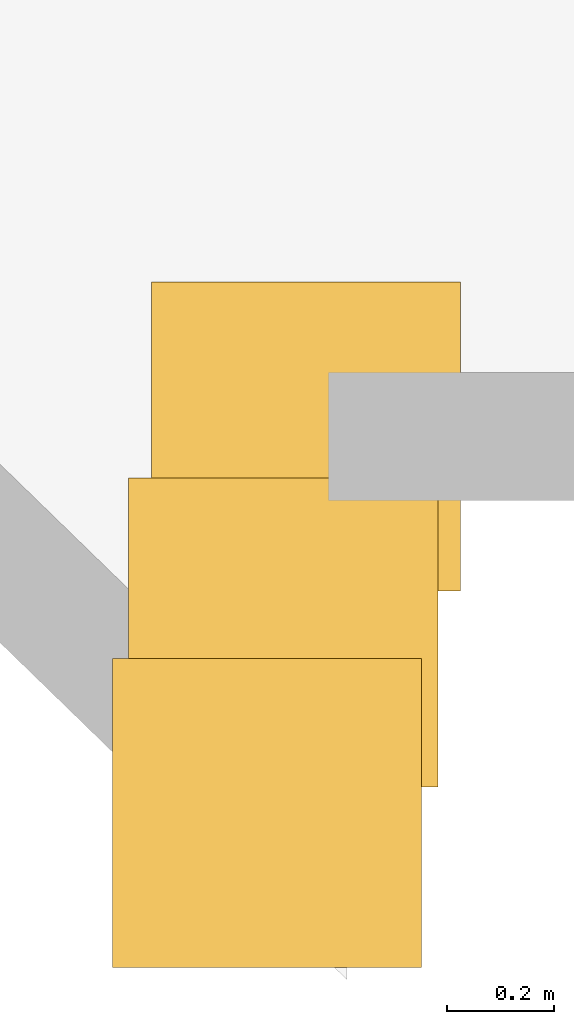
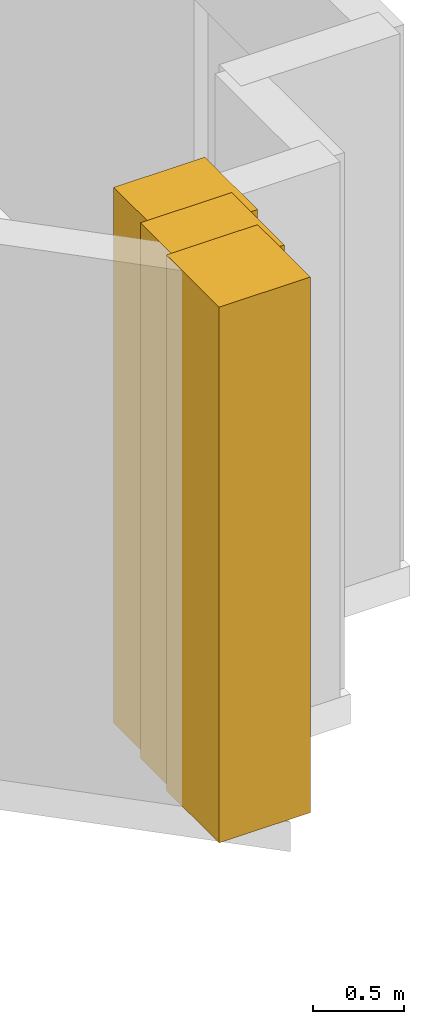
# One storey, part 18 of 18: 3 coverings.
"""IFC4 building model written with IfcOpenShell, lengths in metres."""

import ifcopenshell
import ifcopenshell.guid

model = None  # the IFC model being written
_history = None  # IfcOwnerHistory: only IFC2X3 demands one
_inside = {}  # id of a spatial element -> (the spatial element, [elements in it])
_under = {}  # id of a project, library or spatial element -> (it, [spatial elements below it])
_declared = {}  # id of a project -> (the project, [libraries it declares])
_typed = {}  # id of a type object -> (the type object, [elements of that type])
_made_of = {}  # id of a material, layer set ... -> (it, [elements and type objects made of it])


def new_model(schema):
    """Start an empty IFC model of exactly this schema.

    Asked for "IFC4X3", IfcOpenShell would pick the latest addendum, in which some entities
    have other attributes; the version numbers below select the first issue.
    IFC2X3 requires an IfcOwnerHistory on every rooted entity: one is made here for all.
    """
    global model, _history
    if schema == "IFC4X3":
        model = ifcopenshell.file(schema_version=(4, 3, 0, 0))
    else:
        model = ifcopenshell.file(schema=schema)
    _inside.clear()
    _under.clear()
    _declared.clear()
    _typed.clear()
    _made_of.clear()
    _history = None
    if model.schema == "IFC2X3":
        org = make("IfcOrganization", Name="unknown")
        user = make(
            "IfcPersonAndOrganization",
            ThePerson=make("IfcPerson", FamilyName="unknown"),
            TheOrganization=org,
        )
        app = make(
            "IfcApplication",
            ApplicationDeveloper=org,
            Version="unknown",
            ApplicationFullName="unknown",
            ApplicationIdentifier="unknown",
        )
        _history = make(
            "IfcOwnerHistory",
            OwningUser=user,
            OwningApplication=app,
            ChangeAction="ADDED",
            CreationDate=0,
        )
    return model


def make(cls, **values):
    """One entity of the class cls with the attributes given. An attribute that is None is left unset."""
    return model.create_entity(
        cls, **{name: value for name, value in values.items() if value is not None}
    )


def rooted(cls, **values):
    """An entity with a GlobalId (a new one), such as an element, a storey or a relation."""
    return make(cls, GlobalId=ifcopenshell.guid.new(), OwnerHistory=_history, **values)


def si_unit(unit_type, name, prefix=None):
    """IfcSIUnit, for example si_unit("LENGTHUNIT", "METRE", prefix="MILLI")."""
    return make("IfcSIUnit", UnitType=unit_type, Prefix=prefix, Name=name)


def assignment(units):
    """IfcUnitAssignment: the units of a project."""
    return None if units is None else make("IfcUnitAssignment", Units=units)


def point(xyz):
    """IfcCartesianPoint."""
    return None if xyz is None else make("IfcCartesianPoint", Coordinates=xyz)


def direction(xyz):
    """IfcDirection."""
    return None if xyz is None else make("IfcDirection", DirectionRatios=xyz)


def frame(location, z_axis=None, x_axis=None):
    """IfcAxis2Placement3D, a coordinate frame: its origin and axes. An axis left out is left unset."""
    return make(
        "IfcAxis2Placement3D",
        Location=point(location),
        Axis=direction(z_axis),
        RefDirection=direction(x_axis),
    )


def frame_2d(location, x_axis=None):
    """IfcAxis2Placement2D, a coordinate frame in the plane: its origin and x axis."""
    return make(
        "IfcAxis2Placement2D", Location=point(location), RefDirection=direction(x_axis)
    )


def origin():
    """The frame at (0, 0, 0) with its axes left unset."""
    return frame((0.0, 0.0, 0.0))


def origin_2d():
    """The frame at (0, 0) in the plane with its x axis left unset."""
    return frame_2d((0.0, 0.0))


def place(relative_to, where):
    """IfcLocalPlacement: puts the frame where relative to a parent placement (None: the world)."""
    return make(
        "IfcLocalPlacement", PlacementRelTo=relative_to, RelativePlacement=where
    )


def context(
    kind, dimensions, precision=None, world=None, true_north=None, identifier=None
):
    """IfcGeometricRepresentationContext, for example the 3D "Model" context."""
    return make(
        "IfcGeometricRepresentationContext",
        ContextIdentifier=identifier,
        ContextType=kind,
        CoordinateSpaceDimension=dimensions,
        Precision=precision,
        WorldCoordinateSystem=world,
        TrueNorth=true_north,
    )


def subcontext(parent, identifier, kind, view, scale=None):
    """IfcGeometricRepresentationSubContext, for example "Body" below "Model"."""
    return make(
        "IfcGeometricRepresentationSubContext",
        ContextIdentifier=identifier,
        ContextType=kind,
        ParentContext=parent,
        TargetScale=scale,
        TargetView=view,
    )


def project(units=None, contexts=None):
    """IfcProject with its units and contexts."""
    return rooted(
        "IfcProject",
        Name="project",
        RepresentationContexts=contexts,
        UnitsInContext=assignment(units),
    )


def spatial(cls, under=None, at=None, **own):
    """A site, building, storey or space (cls), placed at a placement, below another one or the project."""
    s = rooted(cls, ObjectPlacement=at, **own)
    if under is not None:
        _under.setdefault(under.id(), (under, []))[1].append(s)
    return s


def profile(cls, at=None, kind="AREA", **sizes):
    """A parametric profile (cls). Its sizes go by their IFC names, for example OverallWidth=200.0."""
    return make(cls, ProfileType=kind, Position=at, **sizes)


def rectangle(**sizes):
    """IfcRectangleProfileDef."""
    return profile("IfcRectangleProfileDef", **sizes)


def extrude(swept, where, along, depth):
    """IfcExtrudedAreaSolid: the profile swept, set in the frame where, extruded along a direction by depth."""
    return make(
        "IfcExtrudedAreaSolid",
        SweptArea=swept,
        Position=where,
        ExtrudedDirection=direction(along),
        Depth=depth,
    )


def shape(context_of_items, identifier, shape_type, items):
    """IfcShapeRepresentation: the items that make up one representation, for example the "Body"."""
    return make(
        "IfcShapeRepresentation",
        ContextOfItems=context_of_items,
        RepresentationIdentifier=identifier,
        RepresentationType=shape_type,
        Items=items,
    )


def material(Name=None, Category=None):
    """IfcMaterial."""
    return make("IfcMaterial", Name=Name, Category=Category)


def layer(
    of_material, thickness, ventilated=None, Name=None, Category=None, Priority=None
):
    """IfcMaterialLayer: one layer of a wall or slab, of a material (None: an air gap)."""
    return make(
        "IfcMaterialLayer",
        Material=of_material,
        LayerThickness=thickness,
        IsVentilated=ventilated,
        Name=Name,
        Category=Category,
        Priority=Priority,
    )


def layer_set(layers, Name=None):
    """IfcMaterialLayerSet."""
    return make("IfcMaterialLayerSet", MaterialLayers=layers, LayerSetName=Name)


def made_of(thing, what):
    """Note that an element or type object is made of a material, layer set ...; save() writes the relation."""
    if what is not None:
        _made_of.setdefault(what.id(), (what, []))[1].append(thing)
    return thing


def type_object(cls, material=None, **own):
    """A type object (cls), such as IfcWallType, which elements share."""
    return made_of(rooted(cls, **own), material)


def element(
    cls,
    number,
    at=None,
    inside=None,
    cuts=None,
    type_object=None,
    material=None,
    context=None,
    identifier="Body",
    shape_type=None,
    held_by="IfcProductDefinitionShape",
    body=None,
    shapes=None,
    **own,
):
    """One element of the class cls, such as IfcWall. Its Tag is "e" and its number.

    at: its placement. inside: the storey or other place that contains it. cuts: it is an
    opening in that element (IfcRelVoidsElement). A single representation is given by context,
    identifier, shape_type and body (its items); several are given by shapes. held_by: the class
    of the entity that holds the representations. save() writes the other relations.
    """
    e = rooted(cls, Tag="e%d" % number, ObjectPlacement=at, **own)
    if body is not None:
        shapes = [shape(context, identifier, shape_type, body)]
    if shapes is not None:
        e.Representation = make(held_by, Representations=shapes)
    if inside is not None:
        _inside.setdefault(inside.id(), (inside, []))[1].append(e)
    if cuts is not None:
        rooted(
            "IfcRelVoidsElement", RelatingBuildingElement=cuts, RelatedOpeningElement=e
        )
    if type_object is not None:
        _typed.setdefault(type_object.id(), (type_object, []))[1].append(e)
    return made_of(e, material)


def aggregate(whole, parts):
    """IfcRelAggregates: a whole, such as a stair, and the parts it consists of."""
    return rooted("IfcRelAggregates", RelatingObject=whole, RelatedObjects=parts)


def save(model, path):
    """Write the relations noted so far, then the file.

    IfcRelAggregates (storeys below a building ...), IfcRelContainedInSpatialStructure (elements
    in a storey), IfcRelDefinesByType, IfcRelAssociatesMaterial and IfcRelDeclares: one each for
    every whole, place, type object, material and project.
    """
    for whole, parts in _under.values():
        aggregate(whole, parts)
    for where, things in _inside.values():
        rooted(
            "IfcRelContainedInSpatialStructure",
            RelatedElements=things,
            RelatingStructure=where,
        )
    for kind, things in _typed.values():
        rooted("IfcRelDefinesByType", RelatedObjects=things, RelatingType=kind)
    for what, things in _made_of.values():
        rooted("IfcRelAssociatesMaterial", RelatedObjects=things, RelatingMaterial=what)
    for by, libraries in _declared.values():
        rooted("IfcRelDeclares", RelatingContext=by, RelatedDefinitions=libraries)
    model.write(path)


model = new_model("IFC4")

# Units and contexts
model_context = context("Model", 3, precision=1e-05, world=origin(), true_north=direction((0.0, 1.0)))
body_context = subcontext(model_context, "Body", "Model", "MODEL_VIEW")
ifc_project = project(units=[si_unit("LENGTHUNIT", "METRE"), si_unit("AREAUNIT", "SQUARE_METRE"), si_unit("VOLUMEUNIT", "CUBIC_METRE"), si_unit("PLANEANGLEUNIT", "RADIAN"), si_unit("MASSUNIT", "GRAM", prefix="KILO")], contexts=[model_context])

# Site, building, storey
site_placement = place(None, origin())
site = spatial("IfcSite", under=ifc_project, at=site_placement, CompositionType="ELEMENT")
building_placement = place(site_placement, origin())
building = spatial("IfcBuilding", under=site, at=building_placement, Name="Haolan Belvedere Tower", CompositionType="ELEMENT")
storey_placement = place(building_placement, frame((0.0, 0.0, 51.39990234375)))
storey = spatial("IfcBuildingStorey", under=building, at=storey_placement, Name="L12", CompositionType="ELEMENT", Elevation=51.39990234375)

# Coverings
ifc_material = material(Name="Pale champagne-silver anodised aluminium rainscreen cladding", Category="aluminium")
ifc_layer = layer(ifc_material, 0.034912109375, Name="Pale champagne-silver anodised aluminium rainscreen cladding")
ifc_layer_set = layer_set([ifc_layer], Name="Pale champagne-silver anodised aluminium rainscreen cladding")
covering_type = type_object("IfcCoveringType", Name="COV-CLAD-35", PredefinedType="CLADDING", material=ifc_layer_set)
for number, where, z_axis, x_axis, name in (
    (1, (72.989501953125, 6.610595703125, 0.0), (0.0, 0.0, 1.0), (1.0, 0.0, 0.0), "L12 pale-metal serrated corner cladding trim 5"),
    (2, (73.02001953125, 6.948974609375, 0.0), (0.0, 0.0, 1.0), (1.0, 0.0, 0.0), "L12 pale-metal serrated corner cladding trim 6"),
    (3, (73.0625, 7.31689453125, 0.0), (0.0, 0.0, 1.0), (1.0, 0.0, 0.0), "L12 pale-metal serrated corner cladding trim 7"),
):
    element("IfcCovering", number, at=place(storey_placement, frame(where, z_axis=z_axis, x_axis=x_axis)), inside=storey, type_object=covering_type, Name=name, PredefinedType="CLADDING", context=body_context, shape_type="SweptSolid", body=[
        extrude(rectangle(XDim=0.580078125, YDim=0.580078125, at=origin_2d()), origin(), (0.0, 0.0, 1.0), 3.60009765625),
    ])

save(model, "model.ifc")
